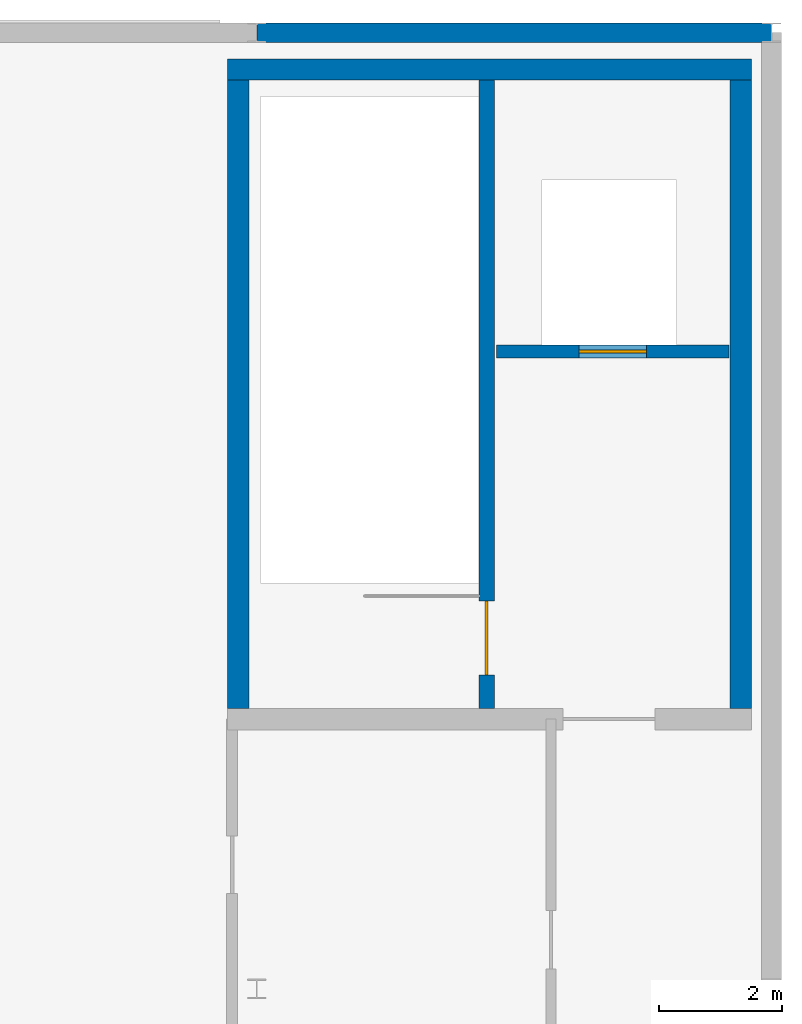
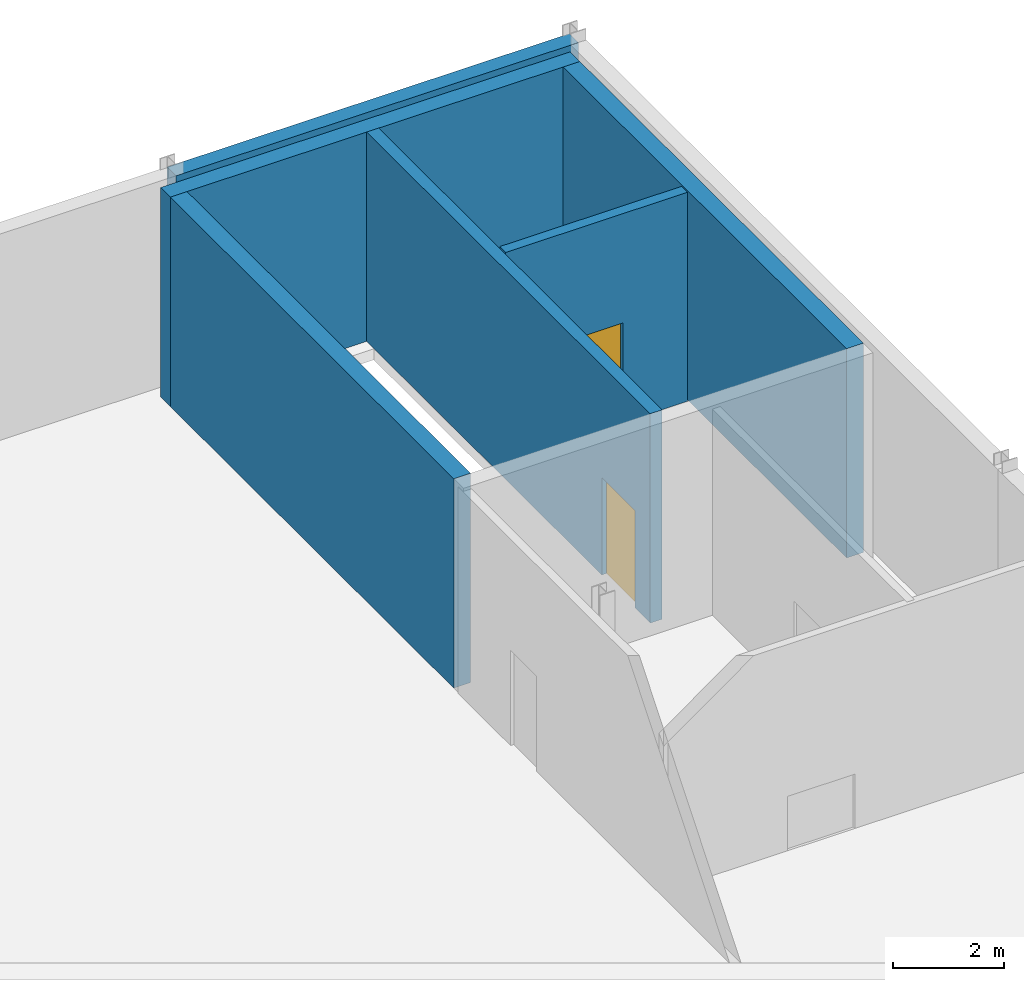
# One storey, part 13 of 14: 6 walls, 2 doors, 2 openings.
"""IFC4 building model written with IfcOpenShell, lengths in metres."""

from ifc_helpers import new_model, si_unit, direction, frame, frame_2d, origin, place, context, subcontext, project, spatial, rectangle, extrude, material, layer, layer_set, type_object, element, fill, save


model = new_model("IFC4")

# Units and contexts
model_context = context("Model", 3, precision=1e-05, world=origin(), true_north=direction((0.0, 1.0)))
body_context = subcontext(model_context, "Body", "Model", "MODEL_VIEW")
ifc_project = project(units=[si_unit("LENGTHUNIT", "METRE"), si_unit("AREAUNIT", "SQUARE_METRE"), si_unit("VOLUMEUNIT", "CUBIC_METRE"), si_unit("PLANEANGLEUNIT", "RADIAN"), si_unit("MASSUNIT", "GRAM", prefix="KILO")], contexts=[model_context])

# Site, building, storey
site_placement = place(None, origin())
site = spatial("IfcSite", under=ifc_project, at=site_placement, CompositionType="ELEMENT")
building_placement = place(site_placement, origin())
building = spatial("IfcBuilding", under=site, at=building_placement, Name="Selat Folded Stagehouse", CompositionType="ELEMENT")
storey_placement = place(building_placement, frame((0.0, 0.0, 27.60009765625)))
storey = spatial("IfcBuildingStorey", under=building, at=storey_placement, Name="L06", CompositionType="ELEMENT", Elevation=27.60009765625)

# Wall, opening, door
ifc_material_1 = material(Name="Concrete C40/50", Category="concrete")
ifc_layer_1 = layer(ifc_material_1, 0.215087890625)
ifc_layer_set_1 = layer_set([ifc_layer_1], Name="Concrete C40/50")
wall_type_1 = type_object("IfcWallType", Name="WAL-COMP-215", PredefinedType="STANDARD", material=ifc_layer_set_1)
wall_1_placement = place(storey_placement, frame((62.7099609375, 49.39990234375, 0.0), z_axis=(0.0, 0.0, 1.0), x_axis=(1.0, 0.0, 0.0)))
wall_1 = element("IfcWall", 1, at=wall_1_placement, inside=storey, type_object=wall_type_1, Name="L06 FL-02 lift shaft front wall", PredefinedType="STANDARD", context=body_context, shape_type="SweptSolid", body=[
    extrude(rectangle(XDim=3.794921875, YDim=0.215087890625, at=frame_2d((1.8974609375, 0.0))), origin(), (0.0, 0.0, 1.0), 4.61181640625),
])
opening_1_placement = place(wall_1_placement, frame((1.347412109375, 0.0, 0.0)))
opening_1 = element("IfcOpeningElement", 2, at=opening_1_placement, cuts=wall_1, Name="Opening LD-01", PredefinedType="OPENING", context=body_context, shape_type="SweptSolid", body=[
    extrude(rectangle(XDim=1.10009765625, YDim=2.199951171875, at=frame_2d((0.550048828125, 1.10009765625))), frame((0.0, 0.117431640625, 0.0), z_axis=(0.0, -1.0, 0.0), x_axis=(1.0, 0.0, 0.0)), (0.0, 0.0, 1.0), 0.235107421875),
])
ifc_material_2 = material(Name="Firefighting lift stainless sliding landing door", Category="wood")
door_type_1 = type_object("IfcDoorType", Name="DOR-LFT-1100", OperationType="NOTDEFINED", PredefinedType="DOOR", material=ifc_material_2)
door_1_placement = place(opening_1_placement, origin())
door_1 = element("IfcDoor", 3, at=door_1_placement, inside=storey, type_object=door_type_1, Name="L06 FL-02 lift sliding landing door", OperationType="SLIDING_TO_RIGHT", OverallHeight=2.199951171875, OverallWidth=1.10009765625, PredefinedType="DOOR", context=body_context, shape_type="SweptSolid", body=[
    extrude(rectangle(XDim=1.10009765625, YDim=2.199951171875, at=frame_2d((0.550048828125, 1.10009765625))), frame((0.0, 0.02490234375, 0.0), z_axis=(0.0, -1.0, 0.0), x_axis=(1.0, 0.0, 0.0)), (0.0, 0.0, 1.0), 0.050048828125),
])
fill(opening_1, door_1)

ifc_material_3 = material(Name="Concrete C50/60", Category="concrete")
ifc_layer_2 = layer(ifc_material_3, 0.25)
ifc_layer_set_2 = layer_set([ifc_layer_2], Name="Concrete C50/60")
wall_type_2 = type_object("IfcWallType", Name="WAL-CORE-250", PredefinedType="SHEAR", material=ifc_layer_set_2)
wall_2_placement = place(storey_placement, frame((62.550048828125, 53.824951171875, 0.0), z_axis=(0.0, 0.0, 1.0), x_axis=(0.0, -1.0, 0.0)))
wall_2 = element("IfcWall", 4, at=wall_2_placement, inside=storey, type_object=wall_type_2, Name="L06 CR-2 internal core divider wall", PredefinedType="SHEAR", context=body_context, shape_type="SweptSolid", body=[
    extrude(rectangle(XDim=10.25, YDim=0.25, at=frame_2d((5.125, 0.0))), origin(), (0.0, 0.0, 1.0), 4.619873046875),
])
opening_2_placement = place(wall_2_placement, frame((8.5, 0.0, 0.0)))
opening_2 = element("IfcOpeningElement", 5, at=opening_2_placement, cuts=wall_2, Name="Opening FD-120", PredefinedType="OPENING", context=body_context, shape_type="SweptSolid", body=[
    extrude(rectangle(XDim=1.199951171875, YDim=2.14990234375, at=frame_2d((0.60009765625, 1.074951171875))), frame((0.0, 0.135009765625, 0.0), z_axis=(0.0, -1.0, 0.0), x_axis=(1.0, 0.0, 0.0)), (0.0, 0.0, 1.0), 0.27001953125),
])
ifc_material_4 = material(Name="Fire-rated steel acoustic door", Category="steel")
door_type_2 = type_object("IfcDoorType", Name="DOR-FIRE-120", OperationType="NOTDEFINED", PredefinedType="DOOR", material=ifc_material_4)
door_2_placement = place(opening_2_placement, origin())
door_2 = element("IfcDoor", 6, at=door_2_placement, inside=storey, type_object=door_type_2, Name="L06 CR-2 protected stair fire door", OperationType="SINGLE_SWING_LEFT", OverallHeight=2.14990234375, OverallWidth=1.199951171875, PredefinedType="DOOR", context=body_context, shape_type="SweptSolid", body=[
    extrude(rectangle(XDim=1.199951171875, YDim=2.14990234375, at=frame_2d((0.60009765625, 1.074951171875))), frame((0.0, 0.02490234375, 0.0), z_axis=(0.0, -1.0, 0.0), x_axis=(1.0, 0.0, 0.0)), (0.0, 0.0, 1.0), 0.050048828125),
])
fill(opening_2, door_2)

# Walls
ifc_material_5 = material(Name="Precast concrete C40/50", Category="concrete")
ifc_layer_3 = layer(ifc_material_5, 0.324951171875)
ifc_layer_set_3 = layer_set([ifc_layer_3], Name="Precast concrete C40/50")
wall_type_3 = type_object("IfcWallType", Name="WAL-EXT-325", PredefinedType="STANDARD", material=ifc_layer_set_3)
wall_3_placement = place(storey_placement, frame((58.800048828125, 54.60009765625, 0.0), z_axis=(0.0, 0.0, 1.0), x_axis=(1.0, 0.0, 0.0)))
element("IfcWall", 7, at=wall_3_placement, inside=storey, type_object=wall_type_3, Name="L06 exterior facade wall EW-L06-V2N-58", PredefinedType="STANDARD", context=body_context, shape_type="SweptSolid", body=[
    extrude(rectangle(XDim=8.39990234375, YDim=0.324951171875, at=frame_2d((4.199951171875, 0.0))), origin(), (0.0, 0.0, 1.0), 4.552001953125),
])
ifc_layer_4 = layer(ifc_material_3, 0.35009765625)
ifc_layer_set_4 = layer_set([ifc_layer_4], Name="Concrete C50/60")
wall_type_4 = type_object("IfcWallType", Name="WAL-SW-350", PredefinedType="SHEAR", material=ifc_layer_set_4)
wall_4_placement = place(storey_placement, frame((58.324951171875, 54.0, 0.0), z_axis=(0.0, 0.0, 1.0), x_axis=(1.0, 0.0, 0.0)))
element("IfcWall", 8, at=wall_4_placement, inside=storey, type_object=wall_type_4, Name="L06 CR-2 north shear wall", PredefinedType="SHEAR", context=body_context, shape_type="SweptSolid", body=[
    extrude(rectangle(XDim=8.550048828125, YDim=0.35009765625, at=frame_2d((4.27490234375, 0.0))), origin(), (0.0, 0.0, 1.0), 4.619873046875),
])
for number, where, z_axis, x_axis, name in (
    (9, (58.5, 43.574951171875, 0.0), (0.0, 0.0, 1.0), (0.0, 1.0, 0.0), "L06 CR-2 west shear wall"),
    (10, (66.699951171875, 53.824951171875, 0.0), (0.0, 0.0, 1.0), (0.0, -1.0, 0.0), "L06 CR-2 east shear wall"),
):
    element("IfcWall", number, at=place(storey_placement, frame(where, z_axis=z_axis, x_axis=x_axis)), inside=storey, type_object=wall_type_4, Name=name, PredefinedType="SHEAR", context=body_context, shape_type="SweptSolid", body=[
        extrude(rectangle(XDim=10.25, YDim=0.35009765625, at=frame_2d((5.125, 0.0))), origin(), (0.0, 0.0, 1.0), 4.619873046875),
    ])

save(model, "model.ifc")
